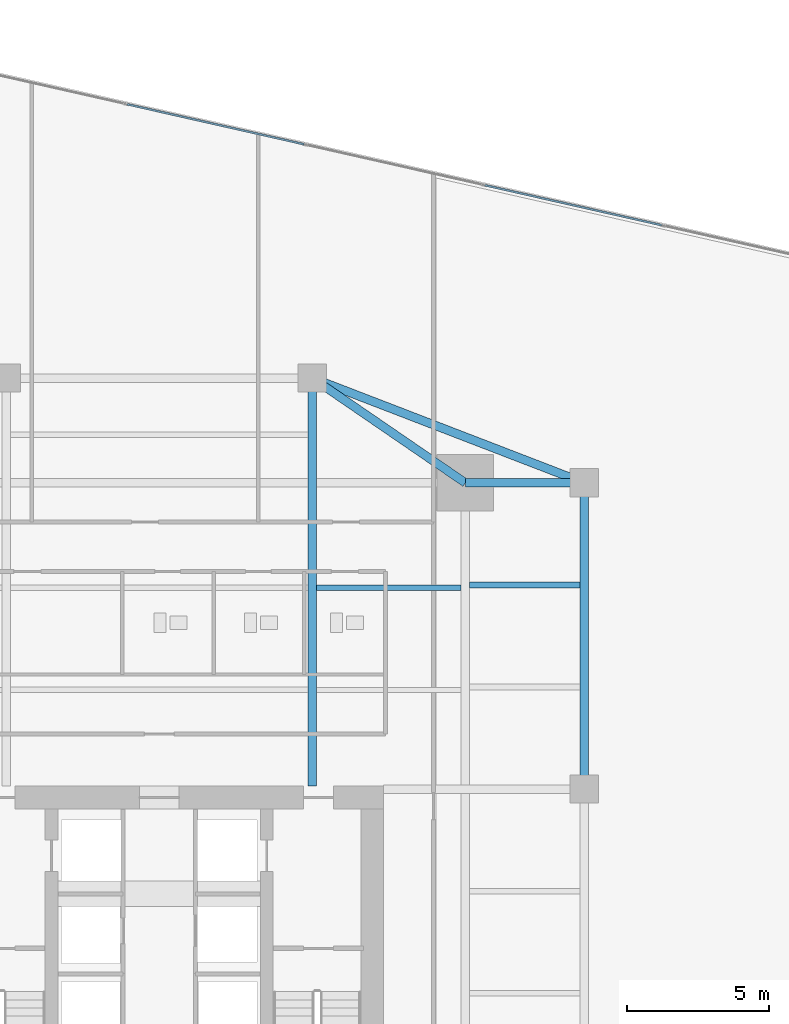
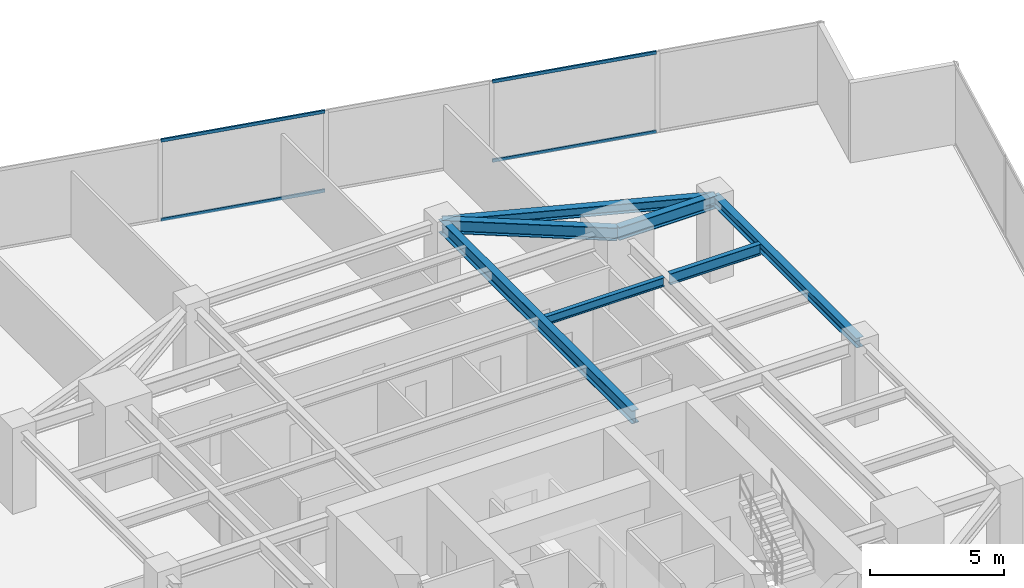
# One storey, part 19 of 27: 7 beams, 4 members, 1 element without a shape of its own.
"""IFC4 building model written with IfcOpenShell, lengths in metres."""

from ifc_helpers import new_model, si_unit, direction, frame, origin, origin_2d, place, context, subcontext, project, spatial, hollow_rectangle, i_section, extrude, source, transform, mapped, material, material_profile, profile_set, type_object, type_shapes, element, aggregate, save


model = new_model("IFC4")

# Units and contexts
model_context = context("Model", 3, precision=1e-05, world=origin(), true_north=direction((0.0, 1.0)))
body_context = subcontext(model_context, "Body", "Model", "MODEL_VIEW")
ifc_project = project(units=[si_unit("LENGTHUNIT", "METRE"), si_unit("AREAUNIT", "SQUARE_METRE"), si_unit("VOLUMEUNIT", "CUBIC_METRE"), si_unit("PLANEANGLEUNIT", "RADIAN"), si_unit("MASSUNIT", "GRAM", prefix="KILO")], contexts=[model_context])

# Site, building, storey
site_placement = place(None, origin())
site = spatial("IfcSite", under=ifc_project, at=site_placement, CompositionType="ELEMENT")
building_placement = place(site_placement, origin())
building = spatial("IfcBuilding", under=site, at=building_placement, Name="Krantzveldt Concourse Tower", CompositionType="ELEMENT")
storey_placement = place(building_placement, frame((0.0, 0.0, 86.10009765625)))
storey = spatial("IfcBuildingStorey", under=building, at=storey_placement, Name="L20", CompositionType="ELEMENT", Elevation=86.10009765625)

# Beams
ifc_material_1 = material(Name="Steel S355JR", Category="steel")
ifc_material_profile_1 = material_profile(ifc_material_1, i_section(OverallWidth=0.300048828125, OverallDepth=0.590087890625, WebThickness=0.012939453125, FlangeThickness=0.02490234375, FilletRadius=0.027099609375, at=origin_2d()), Name="Steel S355JR", Category="steel")
ifc_profile_set_1 = profile_set([ifc_material_profile_1], Name="Steel S355JR - HEA 600")
beam_type_1 = type_object("IfcBeamType", Name="BM-B-HEA600", PredefinedType="BEAM", material=ifc_profile_set_1)
shared_shape_1 = source(origin(), body_context, "Body", "SweptSolid", [
    extrude(i_section(OverallWidth=0.300048828125, OverallDepth=0.590087890625, WebThickness=0.012939453125, FlangeThickness=0.02490234375, FilletRadius=0.027099609375, at=origin_2d()), origin(), (0.0, 0.0, 1.0), 14.39990234375),
])
beam_1_placement = place(storey_placement, frame((41.39990234375, 26.800048828125, 3.375), z_axis=(0.0, 1.0, 0.0), x_axis=(-1.0, 0.0, 0.0)))
element("IfcBeam", 1, at=beam_1_placement, inside=storey, type_object=beam_type_1, Name="L20 Tower Girder BG-CNE", PredefinedType="BEAM", context=body_context, shape_type="MappedRepresentation", body=[
    mapped(shared_shape_1, transform((0.0, 0.0, 0.0), x_axis=(1.0, 0.0, 0.0), y_axis=(0.0, 1.0, 0.0), z_axis=(0.0, 0.0, 1.0), scale=1.0)),
])
ifc_material_profile_2 = material_profile(ifc_material_1, i_section(OverallWidth=0.300048828125, OverallDepth=0.43994140625, WebThickness=0.011474609375, FlangeThickness=0.02099609375, FilletRadius=0.027099609375, at=origin_2d()), Name="Steel S355JR", Category="steel")
ifc_profile_set_2 = profile_set([ifc_material_profile_2], Name="Steel S355JR - HEA 450")
beam_type_2 = type_object("IfcBeamType", Name="BM-SP-HEA450", PredefinedType="SPANDREL", material=ifc_profile_set_2)
shared_shape_2 = source(origin(), body_context, "Body", "SweptSolid", [
    extrude(i_section(OverallWidth=0.300048828125, OverallDepth=0.43994140625, WebThickness=0.011474609375, FlangeThickness=0.02099609375, FilletRadius=0.027099609375, at=origin_2d()), origin(), (0.0, 0.0, 1.0), 10.800048828125),
])
beam_2_placement = place(storey_placement, frame((51.0, 37.5, 3.449951171875), z_axis=(0.0, -1.0, 0.0), x_axis=(1.0, 0.0, 0.0)))
element("IfcBeam", 2, at=beam_2_placement, inside=storey, type_object=beam_type_2, Name="L20 Tower Girder SP-R06", PredefinedType="SPANDREL", context=body_context, shape_type="MappedRepresentation", body=[
    mapped(shared_shape_2, transform((0.0, 0.0, 0.0), x_axis=(1.0, 0.0, 0.0), y_axis=(0.0, 1.0, 0.0), z_axis=(0.0, 0.0, 1.0), scale=1.0)),
])
shared_shape_3 = source(origin(), body_context, "Body", "SweptSolid", [
    extrude(i_section(OverallWidth=0.300048828125, OverallDepth=0.43994140625, WebThickness=0.011474609375, FlangeThickness=0.02099609375, FilletRadius=0.027099609375, at=origin_2d()), origin(), (0.0, 0.0, 1.0), 10.288330078125),
])
type_shapes(beam_type_2, [shared_shape_2, shared_shape_3])
beam_3_placement = place(storey_placement, frame((41.39990234375, 41.199951171875, 3.449951171875), z_axis=(0.933097690408, -0.359622997257, 0.0), x_axis=(0.359622997257, 0.933097690408, 0.0)))
element("IfcBeam", 3, at=beam_3_placement, inside=storey, type_object=beam_type_2, Name="L20 Tower Girder SP-R05", PredefinedType="SPANDREL", context=body_context, shape_type="MappedRepresentation", body=[
    mapped(shared_shape_3, transform((0.0, 0.0, 0.0), x_axis=(1.0, 0.0, 0.0), y_axis=(0.0, 1.0, 0.0), z_axis=(0.0, 0.0, 1.0), scale=1.0)),
])
shared_shape_4 = source(origin(), body_context, "Body", "SweptSolid", [
    extrude(i_section(OverallWidth=0.300048828125, OverallDepth=0.590087890625, WebThickness=0.012939453125, FlangeThickness=0.02490234375, FilletRadius=0.027099609375, at=origin_2d()), origin(), (0.0, 0.0, 1.0), 4.199951171875),
])
beam_4_placement = place(storey_placement, frame((46.800048828125, 37.5, 3.375), z_axis=(1.0, 0.0, 0.0), x_axis=(0.0, 1.0, 0.0)))
element("IfcBeam", 4, at=beam_4_placement, inside=storey, type_object=beam_type_1, Name="L20 Tower Girder BR-RR3", PredefinedType="BEAM", context=body_context, shape_type="MappedRepresentation", body=[
    mapped(shared_shape_4, transform((0.0, 0.0, 0.0), x_axis=(1.0, 0.0, 0.0), y_axis=(0.0, 1.0, 0.0), z_axis=(0.0, 0.0, 1.0), scale=1.0)),
])
shared_shape_5 = source(origin(), body_context, "Body", "SweptSolid", [
    extrude(i_section(OverallWidth=0.300048828125, OverallDepth=0.590087890625, WebThickness=0.012939453125, FlangeThickness=0.02490234375, FilletRadius=0.027099609375, at=origin_2d()), origin(), (0.0, 0.0, 1.0), 6.546142578125),
])
type_shapes(beam_type_1, [shared_shape_1, shared_shape_4, shared_shape_5])
beam_5_placement = place(storey_placement, frame((46.800048828125, 37.5, 3.375), z_axis=(-0.824942999484, 0.565215930068, 0.0), x_axis=(-0.565215930068, -0.824942999484, 0.0)))
element("IfcBeam", 5, at=beam_5_placement, inside=storey, type_object=beam_type_1, Name="L20 Tower Girder BR-RR4", PredefinedType="BEAM", context=body_context, shape_type="MappedRepresentation", body=[
    mapped(shared_shape_5, transform((0.0, 0.0, 0.0), x_axis=(1.0, 0.0, 0.0), y_axis=(0.0, 1.0, 0.0), z_axis=(0.0, 0.0, 1.0), scale=1.0)),
])
ifc_material_profile_3 = material_profile(ifc_material_1, i_section(OverallWidth=0.179931640625, OverallDepth=0.39990234375, WebThickness=0.008544921875, FlangeThickness=0.013427734375, FilletRadius=0.02099609375, at=origin_2d()), Name="Steel S355JR", Category="steel")
ifc_profile_set_3 = profile_set([ifc_material_profile_3], Name="Steel S355JR - IPE 400")
beam_type_3 = type_object("IfcBeamType", Name="BM-J-IPE400", PredefinedType="JOIST", material=ifc_profile_set_3)
shared_shape_6 = source(origin(), body_context, "Body", "SweptSolid", [
    extrude(i_section(OverallWidth=0.179931640625, OverallDepth=0.39990234375, WebThickness=0.008544921875, FlangeThickness=0.013427734375, FilletRadius=0.02099609375, at=origin_2d()), origin(), (0.0, 0.0, 1.0), 5.099853515625),
])
type_shapes(beam_type_3, [shared_shape_6])
beam_6_placement = place(storey_placement, frame((41.550048828125, 33.800048828125, 3.469970703125), z_axis=(1.0, 0.0, 0.0), x_axis=(0.0, 1.0, 0.0)))
element("IfcBeam", 6, at=beam_6_placement, inside=storey, type_object=beam_type_3, Name="L20 Secondary Floor Joist JN-E2", PredefinedType="JOIST", context=body_context, shape_type="MappedRepresentation", body=[
    mapped(shared_shape_6, transform((0.0, 0.0, 0.0), x_axis=(1.0, 0.0, 0.0), y_axis=(0.0, 1.0, 0.0), z_axis=(0.0, 0.0, 1.0), scale=1.0)),
])
ifc_material_profile_4 = material_profile(ifc_material_1, i_section(OverallWidth=0.199951171875, OverallDepth=0.5, WebThickness=0.01025390625, FlangeThickness=0.01611328125, FilletRadius=0.02099609375, at=origin_2d()), Name="Steel S355JR", Category="steel")
ifc_profile_set_4 = profile_set([ifc_material_profile_4], Name="Steel S355JR - IPE 500")
beam_type_4 = type_object("IfcBeamType", Name="BM-J-IPE500", PredefinedType="JOIST", material=ifc_profile_set_4)
shared_shape_7 = source(origin(), body_context, "Body", "SweptSolid", [
    extrude(i_section(OverallWidth=0.199951171875, OverallDepth=0.5, WebThickness=0.01025390625, FlangeThickness=0.01611328125, FilletRadius=0.02099609375, at=origin_2d()), origin(), (0.0, 0.0, 1.0), 3.900146484375),
])
type_shapes(beam_type_4, [shared_shape_7])
beam_7_placement = place(storey_placement, frame((46.949951171875, 33.89990234375, 3.419921875), z_axis=(1.0, 0.0, 0.0), x_axis=(0.0, 1.0, 0.0)))
element("IfcBeam", 7, at=beam_7_placement, inside=storey, type_object=beam_type_4, Name="L20 Secondary Floor Joist JE-4", PredefinedType="JOIST", context=body_context, shape_type="MappedRepresentation", body=[
    mapped(shared_shape_7, transform((0.0, 0.0, 0.0), x_axis=(1.0, 0.0, 0.0), y_axis=(0.0, 1.0, 0.0), z_axis=(0.0, 0.0, 1.0), scale=1.0)),
])

# Curtain wall, members
ifc_material_2 = material(Name="Anodised aluminium 6063-T6", Category="aluminium")
curtain_wall_type = type_object("IfcCurtainWallType", Name="CW2", PredefinedType="USERDEFINED", material=ifc_material_2)
curtain_wall_placement = place(storey_placement, origin())
curtain_wall = element("IfcCurtainWall", 8, at=curtain_wall_placement, inside=storey, type_object=curtain_wall_type, Name="CW-L20-F10", ObjectType="UNITISED CURTAIN WALL", PredefinedType="USERDEFINED")
ifc_material_profile_5 = material_profile(ifc_material_2, hollow_rectangle(XDim=0.070068359375, YDim=0.139892578125, WallThickness=0.0048828125, at=origin_2d()), Name="Anodised aluminium 6063-T6", Category="aluminium")
ifc_profile_set_5 = profile_set([ifc_material_profile_5], Name="Anodised aluminium 6063-T6 - ALU-TRAN 140x70x5")
member_type = type_object("IfcMemberType", Name="CW-TRN-150", PredefinedType="USERDEFINED", material=ifc_profile_set_5)
shared_shape_8 = source(origin(), body_context, "Body", "SweptSolid", [
    extrude(hollow_rectangle(XDim=0.070068359375, YDim=0.139892578125, WallThickness=0.0048828125, at=origin_2d()), origin(), (0.0, 0.0, 1.0), 6.396728515625),
])
type_shapes(member_type, [shared_shape_8])
member_1_placement = place(storey_placement, frame((53.724853515625, 46.588623046875, 0.034912109375), z_axis=(-0.975346478519, 0.220679058454, 0.0), x_axis=(-0.220679058454, -0.975346478519, 0.0)))
member_1 = element("IfcMember", 9, at=member_1_placement, type_object=member_type, Name="CW-Z12 transom 2.1", ObjectType="TRANSOM", PredefinedType="USERDEFINED", context=body_context, shape_type="MappedRepresentation", body=[
    mapped(shared_shape_8, transform((0.0, 0.0, 0.0), x_axis=(1.0, 0.0, 0.0), y_axis=(0.0, 1.0, 0.0), z_axis=(0.0, 0.0, 1.0), scale=1.0)),
])
member_2_placement = place(storey_placement, frame((53.724853515625, 46.588623046875, 3.635009765625), z_axis=(-0.975346478519, 0.220679058454, 0.0), x_axis=(-0.220679058454, -0.975346478519, 0.0)))
member_2 = element("IfcMember", 10, at=member_2_placement, type_object=member_type, Name="CW-Z12 transom 2.2", ObjectType="TRANSOM", PredefinedType="USERDEFINED", context=body_context, shape_type="MappedRepresentation", body=[
    mapped(shared_shape_8, transform((0.0, 0.0, 0.0), x_axis=(1.0, 0.0, 0.0), y_axis=(0.0, 1.0, 0.0), z_axis=(0.0, 0.0, 1.0), scale=1.0)),
])
member_3_placement = place(storey_placement, frame((41.1103515625, 49.44287109375, 0.034912109375), z_axis=(-0.975338262998, 0.220715365874, 0.0), x_axis=(-0.220715365874, -0.975338262998, 0.0)))
member_3 = element("IfcMember", 11, at=member_3_placement, type_object=member_type, Name="CW-Z12 transom 4.1", ObjectType="TRANSOM", PredefinedType="USERDEFINED", context=body_context, shape_type="MappedRepresentation", body=[
    mapped(shared_shape_8, transform((0.0, 0.0, 0.0), x_axis=(1.0, 0.0, 0.0), y_axis=(0.0, 1.0, 0.0), z_axis=(0.0, 0.0, 1.0), scale=1.0)),
])
member_4_placement = place(storey_placement, frame((41.1103515625, 49.44287109375, 3.635009765625), z_axis=(-0.975338262998, 0.220715365874, 0.0), x_axis=(-0.220715365874, -0.975338262998, 0.0)))
member_4 = element("IfcMember", 12, at=member_4_placement, type_object=member_type, Name="CW-Z12 transom 4.2", ObjectType="TRANSOM", PredefinedType="USERDEFINED", context=body_context, shape_type="MappedRepresentation", body=[
    mapped(shared_shape_8, transform((0.0, 0.0, 0.0), x_axis=(1.0, 0.0, 0.0), y_axis=(0.0, 1.0, 0.0), z_axis=(0.0, 0.0, 1.0), scale=1.0)),
])
aggregate(curtain_wall, [member_1, member_2, member_3, member_4])

save(model, "model.ifc")
